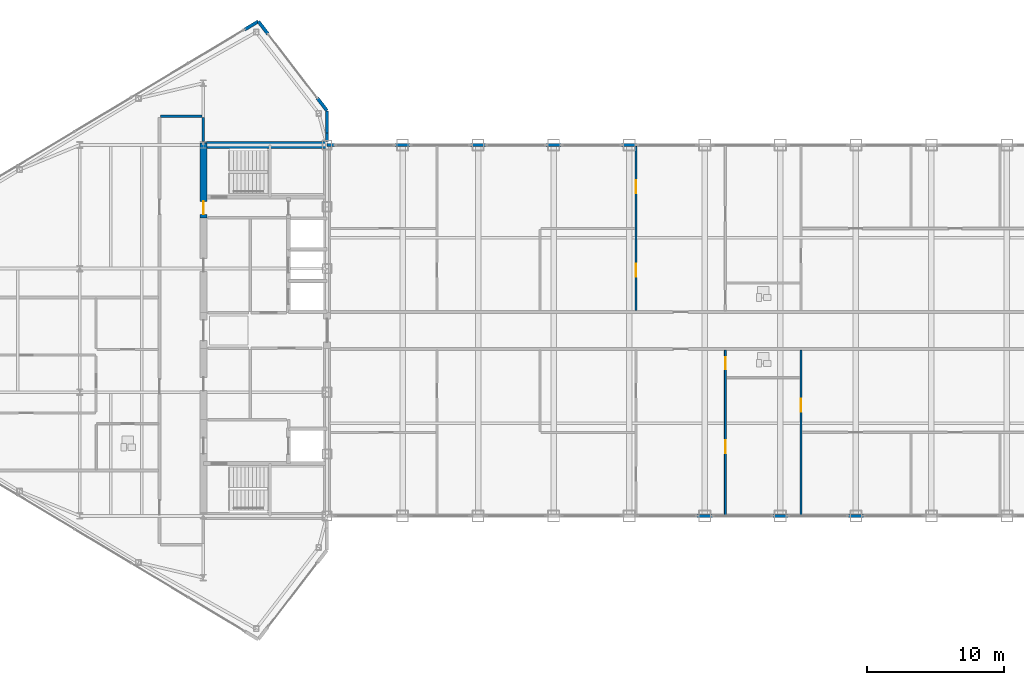
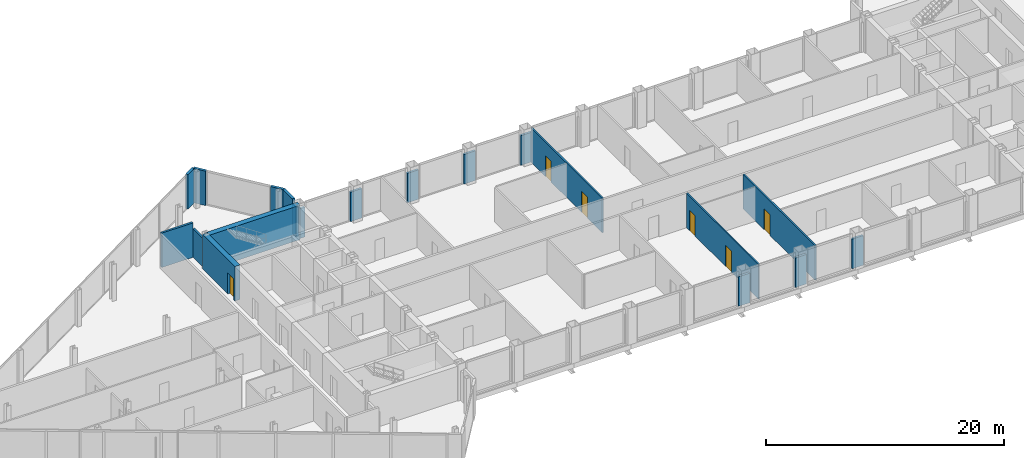
# One storey, part 23 of 29: 20 walls, 6 doors, 6 openings.
"""IFC4 building model written with IfcOpenShell, lengths in metres."""

from ifc_helpers import new_model, si_unit, direction, frame, frame_2d, origin, place, context, subcontext, project, spatial, rectangle, extrude, source, transform, mapped, material, layer, layer_set, type_object, type_shapes, element, fill, save


model = new_model("IFC4")

# Units and contexts
model_context = context("Model", 3, precision=1e-05, world=origin(), true_north=direction((0.0, 1.0)))
body_context = subcontext(model_context, "Body", "Model", "MODEL_VIEW")
ifc_project = project(units=[si_unit("LENGTHUNIT", "METRE"), si_unit("AREAUNIT", "SQUARE_METRE"), si_unit("VOLUMEUNIT", "CUBIC_METRE"), si_unit("PLANEANGLEUNIT", "RADIAN"), si_unit("MASSUNIT", "GRAM", prefix="KILO")], contexts=[model_context])

# Site, building, storey
site_placement = place(None, origin())
site = spatial("IfcSite", under=ifc_project, at=site_placement, CompositionType="ELEMENT")
building_placement = place(site_placement, origin())
building = spatial("IfcBuilding", under=site, at=building_placement, Name="Seokmaru Belvedere", CompositionType="ELEMENT")
storey_placement = place(building_placement, frame((0.0, 0.0, 246.89990234375)))
storey = spatial("IfcBuildingStorey", under=building, at=storey_placement, Name="L65", CompositionType="ELEMENT", Elevation=246.89990234375)

# Wall, openings, doors
ifc_material_1 = material(Name="Fire-Rated Gypsum Shaftwall")
ifc_layer_1 = layer(ifc_material_1, 0.14990234375)
ifc_layer_set_1 = layer_set([ifc_layer_1], Name="Fire-Rated Gypsum Shaftwall")
wall_type_1 = type_object("IfcWallType", Name="Apartment Fire-Acoustic Room Partition 150", PredefinedType="PARTITIONING", material=ifc_layer_set_1)
wall_1_placement = place(storey_placement, frame((-5.0, 1.43505859375, 0.0), z_axis=(0.0, 0.0, 1.0), x_axis=(0.0, 1.0, 0.0)))
wall_1 = element("IfcWall", 1, at=wall_1_placement, inside=storey, type_object=wall_type_1, Name="L65 Interior Partition 039", PredefinedType="PARTITIONING", context=body_context, shape_type="SweptSolid", body=[
    extrude(rectangle(XDim=11.954833984375, YDim=0.14990234375, at=frame_2d((5.9775390625, 0.0))), origin(), (0.0, 0.0, 1.0), 3.530029296875),
])
opening_1_placement = place(wall_1_placement, frame((2.4775390625, 0.0, 0.0)))
opening_1 = element("IfcOpeningElement", 2, at=opening_1_placement, cuts=wall_1, Name="Opening D05", PredefinedType="OPENING", context=body_context, shape_type="SweptSolid", body=[
    extrude(rectangle(XDim=0.949951171875, YDim=2.14990234375, at=frame_2d((0.47509765625, 1.074951171875))), frame((0.0, 0.0849609375, 0.0), z_axis=(0.0, -1.0, 0.0), x_axis=(1.0, 0.0, 0.0)), (0.0, 0.0, 1.0), 0.169921875),
])
opening_2_placement = place(wall_1_placement, frame((8.552490234375, 0.0, 0.0)))
opening_2 = element("IfcOpeningElement", 3, at=opening_2_placement, cuts=wall_1, Name="Opening D05", PredefinedType="OPENING", context=body_context, shape_type="SweptSolid", body=[
    extrude(rectangle(XDim=0.949951171875, YDim=2.14990234375, at=frame_2d((0.47509765625, 1.074951171875))), frame((0.0, 0.0849609375, 0.0), z_axis=(0.0, -1.0, 0.0), x_axis=(1.0, 0.0, 0.0)), (0.0, 0.0, 1.0), 0.169921875),
])
ifc_material_2 = material(Name="Engineered White Oak Timber", Category="wood")
door_type_1 = type_object("IfcDoorType", Name="Apartment Interior Fire-Rated Oak Door 950x2150", OperationType="NOTDEFINED", PredefinedType="DOOR", material=ifc_material_2)
shared_shape_1 = source(origin(), body_context, "Body", "SweptSolid", [
    extrude(rectangle(XDim=0.949951171875, YDim=2.14990234375, at=frame_2d((0.47509765625, 1.074951171875))), frame((0.0, 0.02490234375, 0.0), z_axis=(0.0, -1.0, 0.0), x_axis=(1.0, 0.0, 0.0)), (0.0, 0.0, 1.0), 0.050048828125),
])
type_shapes(door_type_1, [shared_shape_1])
door_1_placement = place(opening_1_placement, origin())
door_1 = element("IfcDoor", 4, at=door_1_placement, inside=storey, type_object=door_type_1, Name="L65 Interior Door 040", OperationType="SINGLE_SWING_LEFT", OverallHeight=2.14990234375, OverallWidth=0.949951171875, PredefinedType="DOOR", context=body_context, shape_type="MappedRepresentation", body=[
    mapped(shared_shape_1, transform((0.0, 0.0, 0.0), scale=1.0)),
])
fill(opening_1, door_1)
door_2_placement = place(opening_2_placement, origin())
door_2 = element("IfcDoor", 5, at=door_2_placement, inside=storey, type_object=door_type_1, Name="L65 Interior Door 041", OperationType="SINGLE_SWING_RIGHT", OverallHeight=2.14990234375, OverallWidth=0.949951171875, PredefinedType="DOOR", context=body_context, shape_type="MappedRepresentation", body=[
    mapped(shared_shape_1, transform((0.0, 0.0, 0.0), scale=1.0)),
])
fill(opening_2, door_2)

# Wall, opening, door
wall_2_placement = place(storey_placement, frame((7.0, -13.5, 0.0), z_axis=(0.0, 0.0, 1.0), x_axis=(0.0, 1.0, 0.0)))
wall_2 = element("IfcWall", 6, at=wall_2_placement, inside=storey, type_object=wall_type_1, Name="L65 Interior Partition 042", PredefinedType="PARTITIONING", context=body_context, shape_type="SweptSolid", body=[
    extrude(rectangle(XDim=12.06494140625, YDim=0.14990234375, at=frame_2d((6.032470703125, 0.0))), origin(), (0.0, 0.0, 1.0), 3.530029296875),
])
opening_3_placement = place(wall_2_placement, frame((7.58740234375, 0.0, 0.0)))
opening_3 = element("IfcOpeningElement", 7, at=opening_3_placement, cuts=wall_2, Name="Opening D05", PredefinedType="OPENING", context=body_context, shape_type="SweptSolid", body=[
    extrude(rectangle(XDim=0.949951171875, YDim=2.14990234375, at=frame_2d((0.47509765625, 1.074951171875))), frame((0.0, 0.0849609375, 0.0), z_axis=(0.0, -1.0, 0.0), x_axis=(1.0, 0.0, 0.0)), (0.0, 0.0, 1.0), 0.169921875),
])
door_3_placement = place(opening_3_placement, origin())
door_3 = element("IfcDoor", 8, at=door_3_placement, inside=storey, type_object=door_type_1, Name="L65 Interior Door 033", OperationType="SINGLE_SWING_LEFT", OverallHeight=2.14990234375, OverallWidth=0.949951171875, PredefinedType="DOOR", context=body_context, shape_type="MappedRepresentation", body=[
    mapped(shared_shape_1, transform((0.0, 0.0, 0.0), scale=1.0)),
])
fill(opening_3, door_3)

# Walls
ifc_material_3 = material(Name="Anodised Bronze Aluminium", Category="aluminium")
ifc_layer_2 = layer(ifc_material_3, 0.2099609375)
ifc_layer_set_2 = layer_set([ifc_layer_2], Name="Anodised Bronze Aluminium")
wall_type_2 = type_object("IfcWallType", Name="Bridge Column Spandrel Closure Pier 210", PredefinedType="SOLIDWALL", material=ifc_layer_set_2)
wall_3_placement = place(storey_placement, frame((-27.489990234375, 13.5, 0.0), z_axis=(0.0, 0.0, 1.0), x_axis=(1.0, 0.0, 0.0)))
element("IfcWall", 9, at=wall_3_placement, inside=storey, type_object=wall_type_2, Name="L65 Bridge North Column Closure Pier 01", PredefinedType="SOLIDWALL", context=body_context, shape_type="SweptSolid", body=[
    extrude(rectangle(XDim=0.5400390625, YDim=0.2099609375, at=frame_2d((0.27001953125, 0.0))), origin(), (0.0, 0.0, 1.0), 3.030029296875),
])
for number, where, z_axis, x_axis, name in (
    (10, (-22.550048828125, 13.5, 0.0), (0.0, 0.0, 1.0), (1.0, 0.0, 0.0), "L65 Bridge North Column Closure Pier 02"),
    (11, (-17.050048828125, 13.5, 0.0), (0.0, 0.0, 1.0), (1.0, 0.0, 0.0), "L65 Bridge North Column Closure Pier 03"),
    (12, (-11.550048828125, 13.5, 0.0), (0.0, 0.0, 1.0), (1.0, 0.0, 0.0), "L65 Bridge North Column Closure Pier 04"),
    (13, (-6.050048828125, 13.5, 0.0), (0.0, 0.0, 1.0), (1.0, 0.0, 0.0), "L65 Bridge North Column Closure Pier 05"),
    (14, (-0.550048828125, -13.5, 0.0), (0.0, 0.0, 1.0), (1.0, 0.0, 0.0), "L65 Bridge South Column Closure Pier 06"),
    (15, (4.949951171875, -13.5, 0.0), (0.0, 0.0, 1.0), (1.0, 0.0, 0.0), "L65 Bridge South Column Closure Pier 07"),
    (16, (10.449951171875, -13.5, 0.0), (0.0, 0.0, 1.0), (1.0, 0.0, 0.0), "L65 Bridge South Column Closure Pier 08"),
):
    element("IfcWall", number, at=place(storey_placement, frame(where, z_axis=z_axis, x_axis=x_axis)), inside=storey, type_object=wall_type_2, Name=name, PredefinedType="SOLIDWALL", context=body_context, shape_type="SweptSolid", body=[
        extrude(rectangle(XDim=1.10009765625, YDim=0.2099609375, at=frame_2d((0.550048828125, 0.0))), origin(), (0.0, 0.0, 1.0), 3.030029296875),
    ])
ifc_layer_3 = layer(ifc_material_1, 0.199951171875)
ifc_layer_set_3 = layer_set([ifc_layer_3], Name="Fire-Rated Gypsum Shaftwall")
wall_type_3 = type_object("IfcWallType", Name="Inter-Tenancy Fire Compartment Partition 200", PredefinedType="PARTITIONING", material=ifc_layer_set_3)
wall_4_placement = place(storey_placement, frame((-39.614990234375, 15.60009765625, 0.0), z_axis=(0.0, 0.0, 1.0), x_axis=(1.0, 0.0, 0.0)))
element("IfcWall", 17, at=wall_4_placement, inside=storey, type_object=wall_type_3, Name="L65 Interior Partition 025", PredefinedType="PARTITIONING", context=body_context, shape_type="SweptSolid", body=[
    extrude(rectangle(XDim=3.030029296875, YDim=0.199951171875, at=frame_2d((1.51513671875, 0.0))), origin(), (0.0, 0.0, 1.0), 3.530029296875),
])
wall_5_placement = place(storey_placement, frame((-36.5, 13.7548828125, 0.0), z_axis=(0.0, 0.0, 1.0), x_axis=(0.0, 1.0, 0.0)))
element("IfcWall", 18, at=wall_5_placement, inside=storey, type_object=wall_type_3, Name="L65 Interior Partition 033", PredefinedType="PARTITIONING", context=body_context, shape_type="SweptSolid", body=[
    extrude(rectangle(XDim=1.760009765625, YDim=0.199951171875, at=frame_2d((0.8798828125, 0.0))), origin(), (0.0, 0.0, 1.0), 2.93017578125),
])

# Wall, openings, doors
ifc_layer_4 = layer(ifc_material_1, 0.1298828125)
ifc_layer_set_4 = layer_set([ifc_layer_4], Name="Fire-Rated Gypsum Shaftwall")
wall_type_4 = type_object("IfcWallType", Name="Moisture-Resistant Fire-Rated Bathroom Partition 130", PredefinedType="PARTITIONING", material=ifc_layer_set_4)
wall_6_placement = place(storey_placement, frame((1.5, -13.5, 0.0), z_axis=(0.0, 0.0, 1.0), x_axis=(0.0, 1.0, 0.0)))
wall_6 = element("IfcWall", 19, at=wall_6_placement, inside=storey, type_object=wall_type_4, Name="L65 Interior Partition 040", PredefinedType="PARTITIONING", context=body_context, shape_type="SweptSolid", body=[
    extrude(rectangle(XDim=12.06494140625, YDim=0.1298828125, at=frame_2d((6.032470703125, 0.0))), origin(), (0.0, 0.0, 1.0), 3.530029296875),
])
opening_4_placement = place(wall_6_placement, frame((10.659912109375, 0.0, 0.0)))
opening_4 = element("IfcOpeningElement", 20, at=opening_4_placement, cuts=wall_6, Name="Opening D06", PredefinedType="OPENING", context=body_context, shape_type="SweptSolid", body=[
    extrude(rectangle(XDim=0.8798828125, YDim=2.10009765625, at=frame_2d((0.43994140625, 1.050048828125))), frame((0.0, 0.074951171875, 0.0), z_axis=(0.0, -1.0, 0.0), x_axis=(1.0, 0.0, 0.0)), (0.0, 0.0, 1.0), 0.14990234375),
])
opening_5_placement = place(wall_6_placement, frame((4.550048828125, 0.0, 0.0)))
opening_5 = element("IfcOpeningElement", 21, at=opening_5_placement, cuts=wall_6, Name="Opening D05", PredefinedType="OPENING", context=body_context, shape_type="SweptSolid", body=[
    extrude(rectangle(XDim=0.949951171875, YDim=2.14990234375, at=frame_2d((0.47509765625, 1.074951171875))), frame((0.0, 0.074951171875, 0.0), z_axis=(0.0, -1.0, 0.0), x_axis=(1.0, 0.0, 0.0)), (0.0, 0.0, 1.0), 0.14990234375),
])
door_type_2 = type_object("IfcDoorType", Name="Bathroom and Restroom Fire-Rated Door 880x2100", OperationType="NOTDEFINED", PredefinedType="DOOR", material=ifc_material_2)
shared_shape_2 = source(origin(), body_context, "Body", "SweptSolid", [
    extrude(rectangle(XDim=0.8798828125, YDim=2.10009765625, at=frame_2d((0.43994140625, 1.050048828125))), frame((0.0, 0.02490234375, 0.0), z_axis=(0.0, -1.0, 0.0), x_axis=(1.0, 0.0, 0.0)), (0.0, 0.0, 1.0), 0.050048828125),
])
type_shapes(door_type_2, [shared_shape_2])
door_4_placement = place(opening_4_placement, origin())
door_4 = element("IfcDoor", 22, at=door_4_placement, inside=storey, type_object=door_type_2, Name="L65 Interior Door 027", OperationType="SINGLE_SWING_LEFT", OverallHeight=2.10009765625, OverallWidth=0.8798828125, PredefinedType="DOOR", context=body_context, shape_type="MappedRepresentation", body=[
    mapped(shared_shape_2, transform((0.0, 0.0, 0.0), scale=1.0)),
])
fill(opening_4, door_4)
door_5_placement = place(opening_5_placement, origin())
door_5 = element("IfcDoor", 23, at=door_5_placement, inside=storey, type_object=door_type_1, Name="L65 Interior Door 028", OperationType="SINGLE_SWING_RIGHT", OverallHeight=2.14990234375, OverallWidth=0.949951171875, PredefinedType="DOOR", context=body_context, shape_type="MappedRepresentation", body=[
    mapped(shared_shape_1, transform((0.0, 0.0, 0.0), scale=1.0)),
])
fill(opening_5, door_5)

# Walls
ifc_layer_5 = layer(ifc_material_3, 0.239990234375)
ifc_layer_set_5 = layer_set([ifc_layer_5], Name="Anodised Bronze Aluminium")
wall_type_5 = type_object("IfcWallType", Name="Tower Corner Spandrel Closure Wall 240", PredefinedType="SOLIDWALL", material=ifc_layer_set_5)
wall_7_placement = place(storey_placement, frame((-27.5, 13.7548828125, 0.0), z_axis=(0.0, 0.0, 1.0), x_axis=(0.0, 1.0, 0.0)))
element("IfcWall", 24, at=wall_7_placement, inside=storey, type_object=wall_type_5, Name="L65 W Shoulder Closure Wall 2", PredefinedType="SOLIDWALL", context=body_context, shape_type="SweptSolid", body=[
    extrude(rectangle(XDim=0.619873046875, YDim=0.239990234375, at=frame_2d((0.31005859375, 0.0))), origin(), (0.0, 0.0, 1.0), 3.030029296875),
])
wall_8_placement = place(storey_placement, frame((-27.5, 14.374755859375, 0.0), z_axis=(0.0, 0.0, 1.0), x_axis=(0.0, 1.0, 0.0)))
element("IfcWall", 25, at=wall_8_placement, inside=storey, type_object=wall_type_5, Name="L65 W Shoulder Closure Wall 2 Part 2", PredefinedType="SOLIDWALL", context=body_context, shape_type="SweptSolid", body=[
    extrude(rectangle(XDim=1.605224609375, YDim=0.239990234375, at=frame_2d((0.802734375, 0.0))), origin(), (0.0, 0.0, 1.0), 3.530029296875),
])
for number, where, z_axis, x_axis, name in (
    (26, (-27.506103515625, 16.0078125, 0.0), (0.0, 0.0, 1.0), (-0.609617623633, 0.792695624408, 0.0), "L65 W Corner Closure Pier 2A"),
    (27, (-31.798828125, 21.58837890625, 0.0), (0.0, 0.0, 1.0), (-0.609617623633, 0.792695624408, 0.0), "L65 W Corner Closure Pier 2B"),
    (28, (-32.508544921875, 22.494873046875, 0.0), (0.0, 0.0, 1.0), (-0.85743623509, -0.514590228002, 0.0), "L65 W Corner Closure Pier 3A"),
):
    element("IfcWall", number, at=place(storey_placement, frame(where, z_axis=z_axis, x_axis=x_axis)), inside=storey, type_object=wall_type_5, Name=name, PredefinedType="SOLIDWALL", context=body_context, shape_type="SweptSolid", body=[
        extrude(rectangle(XDim=1.14013671875, YDim=0.239990234375, at=frame_2d((0.570068359375, 0.0))), origin(), (0.0, 0.0, 1.0), 3.530029296875),
    ])
ifc_material_4 = material(Name="Concrete C50 (50 MPa)", Category="concrete")
ifc_layer_6 = layer(ifc_material_4, 0.5)
ifc_layer_set_6 = layer_set([ifc_layer_6], Name="Concrete C50 (50 MPa)")
wall_type_6 = type_object("IfcWallType", Name="Upper Tower Reinforced Concrete Core Wall 500", PredefinedType="SHEAR", material=ifc_layer_set_6)
wall_9_placement = place(storey_placement, frame((-36.5, 13.5, 0.0), z_axis=(0.0, 0.0, 1.0), x_axis=(1.0, 0.0, 0.0)))
element("IfcWall", 29, at=wall_9_placement, inside=storey, type_object=wall_type_6, Name="L65 West North Core Wall", PredefinedType="SHEAR", context=body_context, shape_type="SweptSolid", body=[
    extrude(rectangle(XDim=9.0, YDim=0.5, at=frame_2d((4.5, 0.0))), origin(), (0.0, 0.0, 1.0), 3.530029296875),
])

# Wall, opening, door
wall_10_placement = place(storey_placement, frame((-36.5, 8.199951171875, 0.0), z_axis=(0.0, 0.0, 1.0), x_axis=(0.0, 1.0, 0.0)))
wall_10 = element("IfcWall", 30, at=wall_10_placement, inside=storey, type_object=wall_type_6, Name="L65 West West Core Wall VST", PredefinedType="SHEAR", context=body_context, shape_type="SweptSolid", body=[
    extrude(rectangle(XDim=5.449951171875, YDim=0.5, at=frame_2d((2.72509765625, 0.0))), origin(), (0.0, 0.0, 1.0), 3.530029296875),
])
opening_6_placement = place(wall_10_placement, frame((0.2451171875, 0.0, 0.0)))
opening_6 = element("IfcOpeningElement", 31, at=opening_6_placement, cuts=wall_10, Name="Opening D04", PredefinedType="OPENING", context=body_context, shape_type="SweptSolid", body=[
    extrude(rectangle(XDim=0.949951171875, YDim=2.14990234375, at=frame_2d((0.47509765625, 1.074951171875))), frame((0.0, 0.260009765625, 0.0), z_axis=(0.0, -1.0, 0.0), x_axis=(1.0, 0.0, 0.0)), (0.0, 0.0, 1.0), 0.52001953125),
])
ifc_material_5 = material(Name="Fire-Rated Steel Leaf", Category="steel")
door_type_3 = type_object("IfcDoorType", Name="Core Service Room Fire Door 950x2150", OperationType="NOTDEFINED", PredefinedType="DOOR", material=ifc_material_5)
shared_shape_3 = source(origin(), body_context, "Body", "SweptSolid", [
    extrude(rectangle(XDim=0.949951171875, YDim=2.14990234375, at=frame_2d((0.47509765625, 1.074951171875))), frame((0.0, 0.02490234375, 0.0), z_axis=(0.0, -1.0, 0.0), x_axis=(1.0, 0.0, 0.0)), (0.0, 0.0, 1.0), 0.050048828125),
])
type_shapes(door_type_3, [shared_shape_3])
door_6_placement = place(opening_6_placement, frame((0.949951171875, 0.0, 0.0), z_axis=(0.0, 0.0, 1.0), x_axis=(-1.0, 0.0, 0.0)))
door_6 = element("IfcDoor", 32, at=door_6_placement, inside=storey, type_object=door_type_3, Name="L65 West Smokeproof Vestibule Door", OperationType="SINGLE_SWING_RIGHT", OverallHeight=2.14990234375, OverallWidth=0.949951171875, PredefinedType="DOOR", context=body_context, shape_type="MappedRepresentation", body=[
    mapped(shared_shape_3, transform((0.0, 0.0, 0.0), scale=1.0)),
])
fill(opening_6, door_6)

save(model, "model.ifc")
